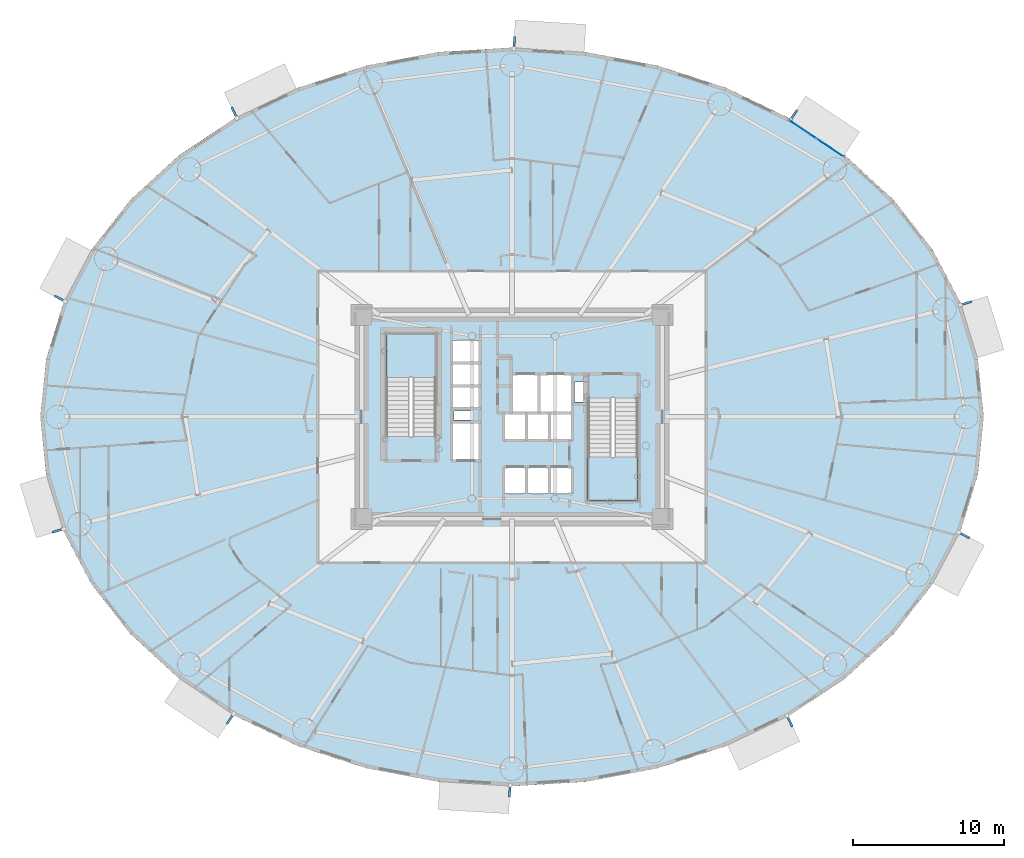
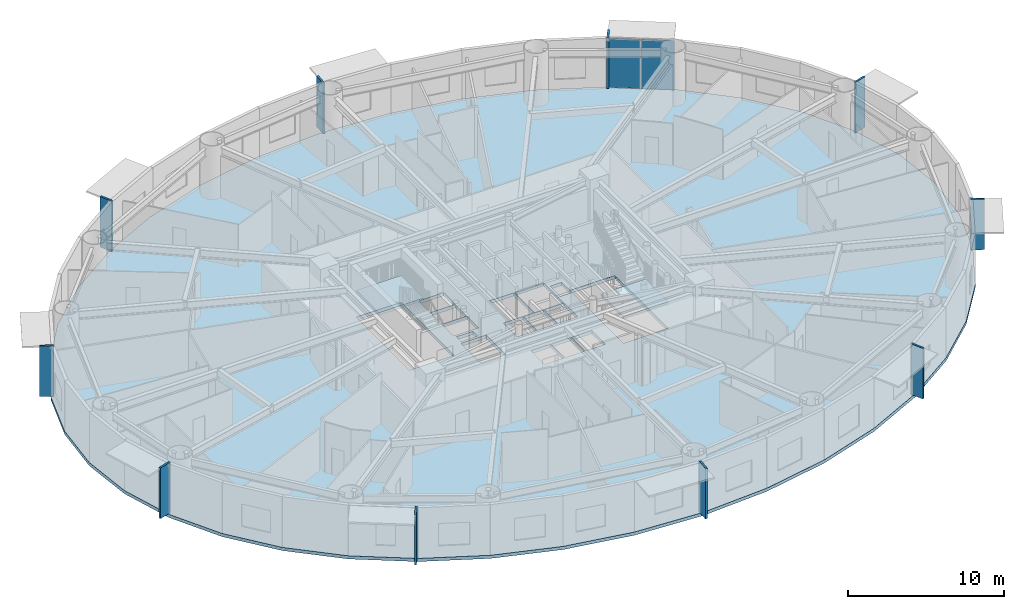
# One storey, part 6 of 24: 12 plates, 3 slabs, 3 elements without a shape of their own.
"""IFC4 building model written with IfcOpenShell, lengths in metres."""

from ifc_helpers import new_model, si_unit, direction, frame, origin, origin_2d, place, context, subcontext, project, spatial, polyline, rectangle, outline, extrude, source, transform, mapped, material, layer, layer_set, type_object, element, aggregate, save


model = new_model("IFC4")

# Units and contexts
model_context = context("Model", 3, precision=1e-05, world=origin(), true_north=direction((0.0, 1.0)))
body_context = subcontext(model_context, "Body", "Model", "MODEL_VIEW")
ifc_project = project(units=[si_unit("LENGTHUNIT", "METRE"), si_unit("AREAUNIT", "SQUARE_METRE"), si_unit("VOLUMEUNIT", "CUBIC_METRE"), si_unit("PLANEANGLEUNIT", "RADIAN"), si_unit("MASSUNIT", "GRAM", prefix="KILO")], contexts=[model_context])

# Site, building, storey
site_placement = place(None, origin())
site = spatial("IfcSite", under=ifc_project, at=site_placement, CompositionType="ELEMENT")
building_placement = place(site_placement, origin())
building = spatial("IfcBuilding", under=site, at=building_placement, Name="Linh Dai School and Residence Tower", CompositionType="ELEMENT")
storey_placement = place(building_placement, frame((0.0, 0.0, 70.199951171875)))
storey = spatial("IfcBuildingStorey", under=building, at=storey_placement, Name="L16", CompositionType="ELEMENT", Elevation=70.199951171875)

# Slab
ifc_material_1 = material(Name="Concrete B45 (C35/45)", Category="concrete")
ifc_layer_1 = layer(ifc_material_1, 0.25)
ifc_layer_set_1 = layer_set([ifc_layer_1], Name="Concrete B45 (C35/45)")
slab_type_1 = type_object("IfcSlabType", Name="SLB-FLR250", PredefinedType="FLOOR", material=ifc_layer_set_1)
slab_1_placement = place(storey_placement, frame((0.0, 0.0, -0.25)))
element("IfcSlab", 1, at=slab_1_placement, inside=storey, type_object=slab_type_1, Name="L16 Composite Structural Floor Slab", PredefinedType="FLOOR", context=body_context, shape_type="SweptSolid", body=[
    extrude(outline(polyline([(67.199951171875, 27.0), (66.81591796875, 30.82177734375), (65.6728515625, 34.54931640625), (63.79931640625, 38.091064453125), (61.2412109375, 41.359619140625), (58.061767578125, 44.274658203125), (54.3388671875, 46.764404296875), (50.16455078125, 48.767333984375), (45.641357421875, 50.234375), (40.880859375, 51.129150390625), (36.0, 51.429931640625), (31.119140625, 51.129150390625), (26.358642578125, 50.234375), (21.83544921875, 48.767333984375), (17.6611328125, 46.764404296875), (13.938232421875, 44.274658203125), (10.7587890625, 41.359619140625), (8.20068359375, 38.091064453125), (6.3271484375, 34.54931640625), (5.18408203125, 30.82177734375), (4.800048828125, 27.0), (5.18408203125, 23.17822265625), (6.3271484375, 19.45068359375), (8.20068359375, 15.908935546875), (10.7587890625, 12.640380859375), (13.938232421875, 9.725341796875), (17.6611328125, 7.235595703125), (21.83544921875, 5.232666015625), (26.358642578125, 3.765625), (31.119140625, 2.870849609375), (36.0, 2.570068359375), (40.880859375, 2.870849609375), (45.641357421875, 3.765625), (50.16455078125, 5.232666015625), (54.3388671875, 7.235595703125), (58.061767578125, 9.725341796875), (61.2412109375, 12.640380859375), (63.79931640625, 15.908935546875), (65.6728515625, 19.45068359375), (66.81591796875, 23.17822265625), (67.199951171875, 27.0)]), holes=[polyline([(30.97998046875, 25.699951171875), (30.97998046875, 32.5), (27.679931640625, 32.5), (27.679931640625, 25.699951171875), (30.97998046875, 25.699951171875)]), polyline([(41.02001953125, 28.25), (41.02001953125, 21.449951171875), (44.320068359375, 21.449951171875), (44.320068359375, 28.25), (41.02001953125, 28.25)]), polyline([(35.97998046875, 27.280029296875), (37.77001953125, 27.280029296875), (37.77001953125, 29.820068359375), (35.97998046875, 29.820068359375), (35.97998046875, 27.280029296875)]), polyline([(32.030029296875, 24.1298828125), (33.8701171875, 24.1298828125), (33.8701171875, 26.6201171875), (32.030029296875, 26.6201171875), (32.030029296875, 24.1298828125)]), polyline([(37.830078125, 27.280029296875), (39.969970703125, 27.280029296875), (39.969970703125, 29.820068359375), (37.830078125, 29.820068359375), (37.830078125, 27.280029296875)]), polyline([(35.47998046875, 21.929931640625), (36.929931640625, 21.929931640625), (36.929931640625, 23.669921875), (35.47998046875, 23.669921875), (35.47998046875, 21.929931640625)]), polyline([(36.989990234375, 21.929931640625), (38.449951171875, 21.929931640625), (38.449951171875, 23.669921875), (36.989990234375, 23.669921875), (36.989990234375, 21.929931640625)]), polyline([(38.510009765625, 21.929931640625), (39.969970703125, 21.929931640625), (39.969970703125, 23.669921875), (38.510009765625, 23.669921875), (38.510009765625, 21.929931640625)]), polyline([(32.030029296875, 27.580078125), (33.8701171875, 27.580078125), (33.8701171875, 29.030029296875), (32.030029296875, 29.030029296875), (32.030029296875, 27.580078125)]), polyline([(32.030029296875, 29.090087890625), (33.8701171875, 29.090087890625), (33.8701171875, 30.550048828125), (32.030029296875, 30.550048828125), (32.030029296875, 29.090087890625)]), polyline([(32.030029296875, 30.610107421875), (33.8701171875, 30.610107421875), (33.8701171875, 32.070068359375), (32.030029296875, 32.070068359375), (32.030029296875, 30.610107421875)]), polyline([(35.47998046875, 25.47998046875), (36.929931640625, 25.47998046875), (36.929931640625, 27.219970703125), (35.47998046875, 27.219970703125), (35.47998046875, 25.47998046875)]), polyline([(36.989990234375, 25.47998046875), (38.449951171875, 25.47998046875), (38.449951171875, 27.219970703125), (36.989990234375, 27.219970703125), (36.989990234375, 25.47998046875)]), polyline([(38.510009765625, 25.47998046875), (39.969970703125, 25.47998046875), (39.969970703125, 27.219970703125), (38.510009765625, 27.219970703125), (38.510009765625, 25.47998046875)]), polyline([(40.14990234375, 28.0), (40.14990234375, 29.300048828125), (41.0, 29.300048828125), (41.0, 28.280029296875), (40.989990234375, 28.280029296875), (40.989990234375, 28.0), (40.14990234375, 28.0)]), polyline([(32.14990234375, 26.800048828125), (33.35009765625, 26.800048828125), (33.35009765625, 27.39990234375), (32.14990234375, 27.39990234375), (32.14990234375, 26.800048828125)])]), origin(), (0.0, 0.0, 1.0), 0.25),
])

# Stair, slab
stair_type = type_object("IfcStairType", Name="ST-DOG-1550-R1500", PredefinedType="HALF_TURN_STAIR", material=ifc_material_1)
stair_1_placement = place(storey_placement, origin())
stair_1 = element("IfcStair", 2, at=stair_1_placement, inside=storey, type_object=stair_type, Name="L16 Core Smokeproof Exit Stair ST1", PredefinedType="HALF_TURN_STAIR")
ifc_layer_2 = layer(ifc_material_1, 0.199951171875)
ifc_layer_set_2 = layer_set([ifc_layer_2], Name="Concrete B45 (C35/45)")
slab_type_2 = type_object("IfcSlabType", Name="SLB-ST-LANDING-200", PredefinedType="LANDING", material=ifc_layer_set_2)
slab_2_placement = place(storey_placement, frame((0.0, 0.0, 1.900146484375)))
slab_2 = element("IfcSlab", 3, at=slab_2_placement, type_object=slab_type_2, Name="ST1 landing 1", PredefinedType="LANDING", context=body_context, shape_type="SweptSolid", body=[
    extrude(outline(polyline([(30.97998046875, 29.60009765625), (30.97998046875, 32.5), (27.679931640625, 32.5), (27.679931640625, 29.60009765625), (30.97998046875, 29.60009765625)])), origin(), (0.0, 0.0, 1.0), 0.199951171875),
])
aggregate(stair_1, [slab_2])

stair_2_placement = place(storey_placement, origin())
stair_2 = element("IfcStair", 4, at=stair_2_placement, inside=storey, type_object=stair_type, Name="L16 Core Smokeproof Exit Stair ST2", PredefinedType="HALF_TURN_STAIR")
slab_3_placement = place(storey_placement, frame((0.0, 0.0, 1.900146484375)))
slab_3 = element("IfcSlab", 5, at=slab_3_placement, type_object=slab_type_2, Name="ST2 landing 1", PredefinedType="LANDING", context=body_context, shape_type="SweptSolid", body=[
    extrude(outline(polyline([(41.02001953125, 24.35009765625), (41.02001953125, 21.449951171875), (44.320068359375, 21.449951171875), (44.320068359375, 24.35009765625), (41.02001953125, 24.35009765625)])), origin(), (0.0, 0.0, 1.0), 0.199951171875),
])
aggregate(stair_2, [slab_3])

# Plates
ifc_material_2 = material(Name="Precast Concrete B45 (C35/45)", Category="concrete")
ifc_layer_3 = layer(ifc_material_2, 0.139892578125)
ifc_layer_set_3 = layer_set([ifc_layer_3], Name="Precast Concrete B45 (C35/45)")
plate_type_1 = type_object("IfcPlateType", Name="FIN-TC-900x140", PredefinedType="USERDEFINED", material=ifc_layer_set_3)
shared_shape_1 = source(origin(), body_context, "Body", "SweptSolid", [
    extrude(rectangle(XDim=0.89990234375, YDim=0.139892578125, at=origin_2d()), origin(), (0.0, 0.0, 1.0), 3.949951171875),
])
for number, where, z_axis, x_axis, name in (
    (6, (65.984619140625, 34.5068359375, 0.0), (0.0, 0.0, 1.0), (0.956067769001, 0.293145733514, 0.0), "L16 Precast Terracotta Radial Fin 02"),
    (7, (54.604736328125, 46.9296875, 0.0), (0.0, 0.0, 1.0), (0.555897899828, 0.831250578927, 0.0), "L16 Precast Terracotta Radial Fin 06"),
    (8, (36.14501953125, 51.706787109375, 0.0), (0.0, 0.0, 1.0), (0.061506595367, 0.998106677027, 0.0), "L16 Precast Terracotta Radial Fin 10"),
    (9, (17.65380859375, 47.0771484375, 0.0), (0.0, 0.0, 1.0), (-0.432603008528, 0.901584514626, 0.0), "L16 Precast Terracotta Radial Fin 14"),
    (10, (6.13623046875, 34.799072265625, 0.0), (0.0, 0.0, 1.0), (-0.883933862645, 0.467611940042, 0.0), "L16 Precast Terracotta Radial Fin 18"),
    (11, (6.015380859375, 19.4931640625, 0.0), (0.0, 0.0, 1.0), (-0.956067769001, -0.293145733514, 0.0), "L16 Precast Terracotta Radial Fin 22"),
    (12, (17.395263671875, 7.0703125, 0.0), (0.0, 0.0, 1.0), (-0.555897899828, -0.831250578927, 0.0), "L16 Precast Terracotta Radial Fin 26"),
    (13, (35.85498046875, 2.293212890625, 0.0), (0.0, 0.0, 1.0), (-0.061506595367, -0.998106677027, 0.0), "L16 Precast Terracotta Radial Fin 30"),
    (14, (54.34619140625, 6.9228515625, 0.0), (0.0, 0.0, 1.0), (0.432603008528, -0.901584514626, 0.0), "L16 Precast Terracotta Radial Fin 34"),
    (15, (65.86376953125, 19.200927734375, 0.0), (0.0, 0.0, 1.0), (0.883933862645, -0.467611940042, 0.0), "L16 Precast Terracotta Radial Fin 38"),
):
    element("IfcPlate", number, at=place(storey_placement, frame(where, z_axis=z_axis, x_axis=x_axis)), inside=storey, type_object=plate_type_1, Name=name, ObjectType="RADIAL FIN", PredefinedType="USERDEFINED", context=body_context, shape_type="MappedRepresentation", body=[
        mapped(shared_shape_1, transform((0.0, 0.0, 0.0), x_axis=(1.0, 0.0, 0.0), y_axis=(0.0, 1.0, 0.0), z_axis=(0.0, 0.0, 1.0), scale=1.0)),
    ])

# Curtain wall, plates
ifc_material_3 = material(Name="Aluminium Anodised Curtain Wall", Category="aluminium")
ifc_layer_4 = layer(ifc_material_3, 0.14990234375)
ifc_layer_set_4 = layer_set([ifc_layer_4], Name="Aluminium Anodised Curtain Wall")
curtain_wall_type = type_object("IfcCurtainWallType", Name="CW-SYS-4", PredefinedType="USERDEFINED", material=ifc_layer_set_4)
curtain_wall_placement = place(storey_placement, origin())
curtain_wall = element("IfcCurtainWall", 16, at=curtain_wall_placement, inside=storey, type_object=curtain_wall_type, Name="L16 CW4 Curtain Wall 06", ObjectType="RIBBON CURTAIN WALL", PredefinedType="USERDEFINED")
ifc_material_4 = material(Name="Double Low-E Insulated Glazing", Category="glass")
ifc_layer_5 = layer(ifc_material_4, 0.02587890625)
ifc_layer_set_5 = layer_set([ifc_layer_5], Name="Double Low-E Insulated Glazing")
plate_type_2 = type_object("IfcPlateType", Name="CW-SYS-4-PAN", PredefinedType="CURTAIN_PANEL", material=ifc_layer_set_5)
shared_shape_2 = source(origin(), body_context, "Body", "SweptSolid", [
    extrude(rectangle(XDim=2.152099609375, YDim=0.02587890625, at=origin_2d()), origin(), (0.0, 0.0, 1.0), 3.845947265625),
])
plate_1_placement = place(storey_placement, frame((55.21484375, 46.028564453125, 0.05224609375), z_axis=(0.0, 0.0, 1.0), x_axis=(0.831250578927, -0.555897899828, 0.0)))
plate_1 = element("IfcPlate", 17, at=plate_1_placement, type_object=plate_type_2, Name="CW4 panel 1.1", PredefinedType="CURTAIN_PANEL", context=body_context, shape_type="MappedRepresentation", body=[
    mapped(shared_shape_2, transform((0.0, 0.0, 0.0), x_axis=(1.0, 0.0, 0.0), y_axis=(0.0, 1.0, 0.0), z_axis=(0.0, 0.0, 1.0), scale=1.0)),
])
plate_2_placement = place(storey_placement, frame((57.046875, 44.80322265625, 0.05224609375), z_axis=(0.0, 0.0, 1.0), x_axis=(0.831250578927, -0.555897899828, 0.0)))
plate_2 = element("IfcPlate", 18, at=plate_2_placement, type_object=plate_type_2, Name="CW4 panel 2.1", PredefinedType="CURTAIN_PANEL", context=body_context, shape_type="MappedRepresentation", body=[
    mapped(shared_shape_2, transform((0.0, 0.0, 0.0), x_axis=(1.0, 0.0, 0.0), y_axis=(0.0, 1.0, 0.0), z_axis=(0.0, 0.0, 1.0), scale=1.0)),
])
aggregate(curtain_wall, [plate_1, plate_2])

save(model, "model.ifc")
